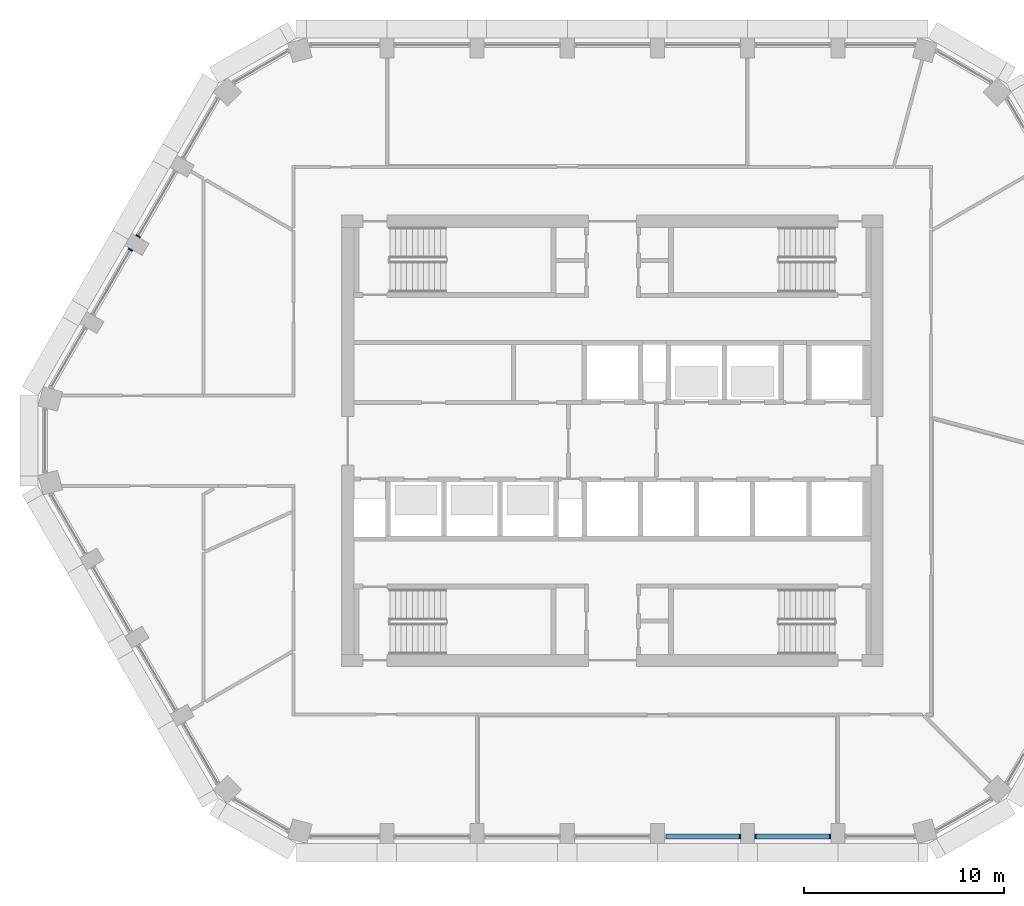
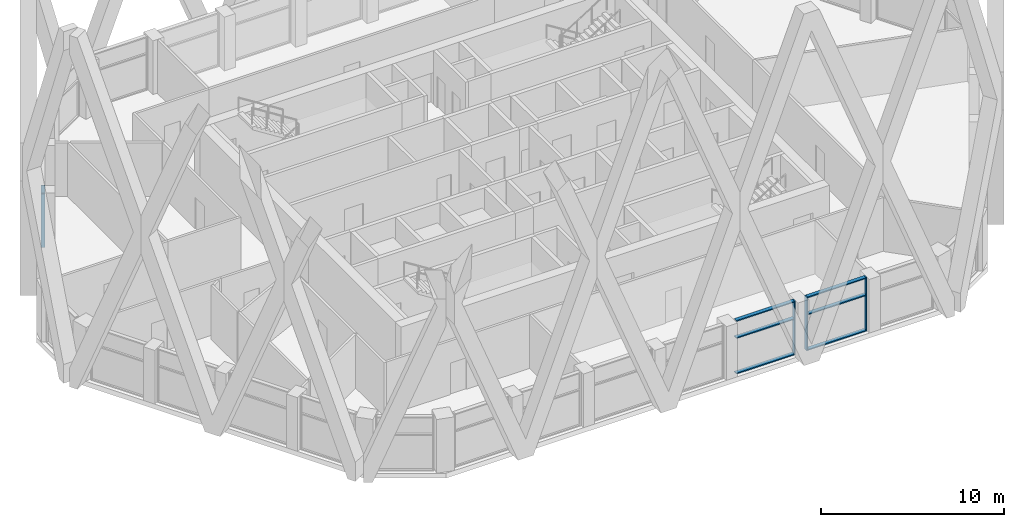
# One storey, part 3 of 20: 11 members, 4 elements without a shape of their own.
"""IFC4 building model written with IfcOpenShell, lengths in metres."""

from ifc_helpers import new_model, si_unit, direction, frame, origin, origin_2d, place, context, subcontext, project, spatial, rectangle, extrude, material, layer, layer_set, material_profile, profile_set, type_object, element, aggregate, save


model = new_model("IFC4")

# Units and contexts
model_context = context("Model", 3, precision=1e-05, world=origin(), true_north=direction((0.0, 1.0)))
body_context = subcontext(model_context, "Body", "Model", "MODEL_VIEW")
ifc_project = project(units=[si_unit("LENGTHUNIT", "METRE"), si_unit("AREAUNIT", "SQUARE_METRE"), si_unit("VOLUMEUNIT", "CUBIC_METRE"), si_unit("PLANEANGLEUNIT", "RADIAN"), si_unit("MASSUNIT", "GRAM", prefix="KILO")], contexts=[model_context])

# Site, building, storey
site_placement = place(None, origin())
site = spatial("IfcSite", under=ifc_project, at=site_placement, CompositionType="ELEMENT")
building_placement = place(site_placement, origin())
building = spatial("IfcBuilding", under=site, at=building_placement, Name="Dhurran Vertical Campus", CompositionType="ELEMENT")
storey_placement = place(building_placement, frame((0.0, 0.0, 235.199951171875)))
storey = spatial("IfcBuildingStorey", under=building, at=storey_placement, Name="L58", CompositionType="ELEMENT", Elevation=235.199951171875)

# Curtain wall, member
ifc_material_1 = material(Name="Aluminium frame with solar-control glass", Category="aluminium")
ifc_layer = layer(ifc_material_1, 0.25)
ifc_layer_set = layer_set([ifc_layer], Name="Aluminium frame with solar-control glass")
curtain_wall_type = type_object("IfcCurtainWallType", Name="Sky lobby glazing system", PredefinedType="NOTDEFINED", material=ifc_layer_set)
curtain_wall_1_placement = place(storey_placement, origin())
curtain_wall_1 = element("IfcCurtainWall", 1, at=curtain_wall_1_placement, inside=storey, type_object=curtain_wall_type, Name="CW3 L58.04", PredefinedType="NOTDEFINED")
ifc_material_2 = material(Name="Aluminium mullion", Category="aluminium")
ifc_material_profile_1 = material_profile(ifc_material_2, rectangle(XDim=0.239990234375, YDim=0.070068359375, at=origin_2d()), Name="Sky lobby glazing system mullion")
ifc_profile_set_1 = profile_set([ifc_material_profile_1], Name="Aluminium mullion")
member_type_1 = type_object("IfcMemberType", Name="Sky lobby glazing system mullion", PredefinedType="MULLION", material=ifc_profile_set_1)
member_1_placement = place(storey_placement, frame((6.364501953125, -19.738525390625, 0.0), z_axis=(0.0, 0.0, 1.0), x_axis=(0.0, 1.0, 0.0)))
member_1 = element("IfcMember", 2, at=member_1_placement, type_object=member_type_1, Name="CW3 mullion 2", PredefinedType="MULLION", context=body_context, shape_type="SweptSolid", body=[
    extrude(rectangle(XDim=0.239990234375, YDim=0.070068359375, at=origin_2d()), origin(), (0.0, 0.0, 1.0), 3.574951171875),
])

# Curtain wall, members
curtain_wall_2_placement = place(storey_placement, origin())
curtain_wall_2 = element("IfcCurtainWall", 3, at=curtain_wall_2_placement, inside=storey, type_object=curtain_wall_type, Name="CW3 L58.05", PredefinedType="NOTDEFINED")
member_2_placement = place(storey_placement, frame((7.135498046875, -19.738525390625, 0.0), z_axis=(0.0, 0.0, 1.0), x_axis=(0.0, 1.0, 0.0)))
member_2 = element("IfcMember", 4, at=member_2_placement, type_object=member_type_1, Name="CW3 mullion 1", PredefinedType="MULLION", context=body_context, shape_type="SweptSolid", body=[
    extrude(rectangle(XDim=0.239990234375, YDim=0.070068359375, at=origin_2d()), origin(), (0.0, 0.0, 1.0), 3.574951171875),
])
member_3_placement = place(storey_placement, frame((10.864501953125, -19.738525390625, 0.0), z_axis=(0.0, 0.0, 1.0), x_axis=(0.0, 1.0, 0.0)))
member_3 = element("IfcMember", 5, at=member_3_placement, type_object=member_type_1, Name="CW3 mullion 2", PredefinedType="MULLION", context=body_context, shape_type="SweptSolid", body=[
    extrude(rectangle(XDim=0.239990234375, YDim=0.070068359375, at=origin_2d()), origin(), (0.0, 0.0, 1.0), 3.574951171875),
])

# Curtain wall, member
curtain_wall_3_placement = place(storey_placement, origin())
curtain_wall_3 = element("IfcCurtainWall", 6, at=curtain_wall_3_placement, inside=storey, type_object=curtain_wall_type, Name="CW3 L58.27", PredefinedType="NOTDEFINED")
member_4_placement = place(storey_placement, frame((-23.6513671875, 10.203125, 0.0), z_axis=(0.0, 0.0, 1.0), x_axis=(0.866023396064, -0.500003477457, 0.0)))
member_4 = element("IfcMember", 7, at=member_4_placement, type_object=member_type_1, Name="CW3 mullion 2", PredefinedType="MULLION", context=body_context, shape_type="SweptSolid", body=[
    extrude(rectangle(XDim=0.239990234375, YDim=0.070068359375, at=origin_2d()), origin(), (0.0, 0.0, 1.0), 3.574951171875),
])
aggregate(curtain_wall_3, [member_4])

curtain_wall_4_placement = place(storey_placement, origin())
curtain_wall_4 = element("IfcCurtainWall", 8, at=curtain_wall_4_placement, inside=storey, type_object=curtain_wall_type, Name="CW3 L58.28", PredefinedType="NOTDEFINED")
member_5_placement = place(storey_placement, frame((-24.036865234375, 9.535400390625, 0.0), z_axis=(0.0, 0.0, 1.0), x_axis=(0.866023396064, -0.500003477457, 0.0)))
member_5 = element("IfcMember", 9, at=member_5_placement, type_object=member_type_1, Name="CW3 mullion 1", PredefinedType="MULLION", context=body_context, shape_type="SweptSolid", body=[
    extrude(rectangle(XDim=0.239990234375, YDim=0.070068359375, at=origin_2d()), origin(), (0.0, 0.0, 1.0), 3.574951171875),
])
aggregate(curtain_wall_4, [member_5])

# Member
ifc_material_3 = material(Name="Aluminium transom", Category="aluminium")
ifc_material_profile_2 = material_profile(ifc_material_3, rectangle(XDim=0.239990234375, YDim=0.070068359375, at=origin_2d()), Name="Sky lobby glazing system transom")
ifc_profile_set_2 = profile_set([ifc_material_profile_2], Name="Aluminium transom")
member_type_2 = type_object("IfcMemberType", Name="Sky lobby glazing system transom", PredefinedType="USERDEFINED", material=ifc_profile_set_2)
member_6_placement = place(storey_placement, frame((2.67041015625, -19.738525390625, 0.03515625), z_axis=(1.0, 0.0, 0.0), x_axis=(0.0, 1.0, 0.0)))
member_6 = element("IfcMember", 10, at=member_6_placement, type_object=member_type_2, Name="CW3 transom 1.1", ObjectType="TRANSOM", PredefinedType="USERDEFINED", context=body_context, shape_type="SweptSolid", body=[
    extrude(rectangle(XDim=0.239990234375, YDim=0.070068359375, at=origin_2d()), origin(), (0.0, 0.0, 1.0), 3.6591796875),
])

member_7_placement = place(storey_placement, frame((2.67041015625, -19.738525390625, 2.400146484375), z_axis=(1.0, 0.0, 0.0), x_axis=(0.0, 1.0, 0.0)))
member_7 = element("IfcMember", 11, at=member_7_placement, type_object=member_type_2, Name="CW3 transom 1.2", ObjectType="TRANSOM", PredefinedType="USERDEFINED", context=body_context, shape_type="SweptSolid", body=[
    extrude(rectangle(XDim=0.239990234375, YDim=0.070068359375, at=origin_2d()), origin(), (0.0, 0.0, 1.0), 3.6591796875),
])

member_8_placement = place(storey_placement, frame((2.67041015625, -19.738525390625, 3.5400390625), z_axis=(1.0, 0.0, 0.0), x_axis=(0.0, 1.0, 0.0)))
member_8 = element("IfcMember", 12, at=member_8_placement, type_object=member_type_2, Name="CW3 transom 1.3", ObjectType="TRANSOM", PredefinedType="USERDEFINED", context=body_context, shape_type="SweptSolid", body=[
    extrude(rectangle(XDim=0.239990234375, YDim=0.070068359375, at=origin_2d()), origin(), (0.0, 0.0, 1.0), 3.6591796875),
])

aggregate(curtain_wall_1, [member_1, member_6, member_7, member_8])

member_9_placement = place(storey_placement, frame((7.17041015625, -19.738525390625, 0.03515625), z_axis=(1.0, 0.0, 0.0), x_axis=(0.0, 1.0, 0.0)))
member_9 = element("IfcMember", 13, at=member_9_placement, type_object=member_type_2, Name="CW3 transom 1.1", ObjectType="TRANSOM", PredefinedType="USERDEFINED", context=body_context, shape_type="SweptSolid", body=[
    extrude(rectangle(XDim=0.239990234375, YDim=0.070068359375, at=origin_2d()), origin(), (0.0, 0.0, 1.0), 3.6591796875),
])

member_10_placement = place(storey_placement, frame((7.17041015625, -19.738525390625, 2.400146484375), z_axis=(1.0, 0.0, 0.0), x_axis=(0.0, 1.0, 0.0)))
member_10 = element("IfcMember", 14, at=member_10_placement, type_object=member_type_2, Name="CW3 transom 1.2", ObjectType="TRANSOM", PredefinedType="USERDEFINED", context=body_context, shape_type="SweptSolid", body=[
    extrude(rectangle(XDim=0.239990234375, YDim=0.070068359375, at=origin_2d()), origin(), (0.0, 0.0, 1.0), 3.6591796875),
])

member_11_placement = place(storey_placement, frame((7.17041015625, -19.738525390625, 3.5400390625), z_axis=(1.0, 0.0, 0.0), x_axis=(0.0, 1.0, 0.0)))
member_11 = element("IfcMember", 15, at=member_11_placement, type_object=member_type_2, Name="CW3 transom 1.3", ObjectType="TRANSOM", PredefinedType="USERDEFINED", context=body_context, shape_type="SweptSolid", body=[
    extrude(rectangle(XDim=0.239990234375, YDim=0.070068359375, at=origin_2d()), origin(), (0.0, 0.0, 1.0), 3.6591796875),
])

aggregate(curtain_wall_2, [member_2, member_3, member_9, member_10, member_11])

save(model, "model.ifc")
